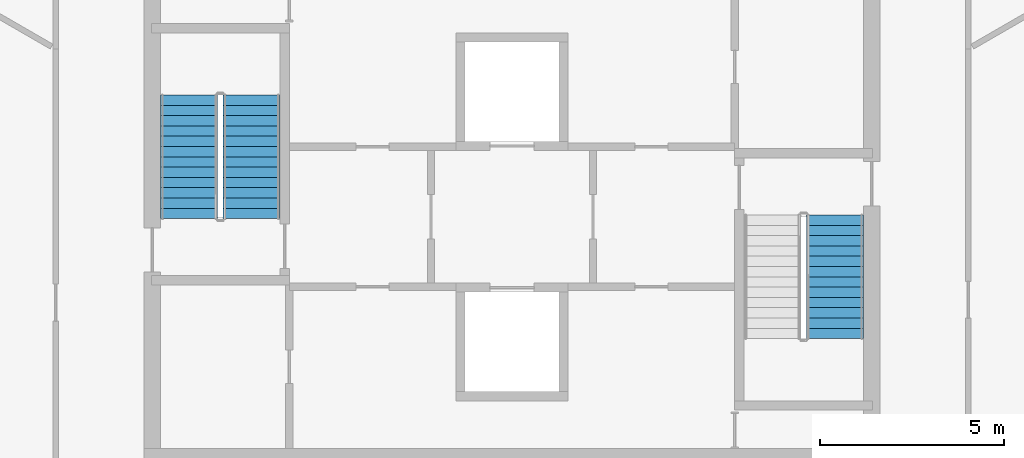
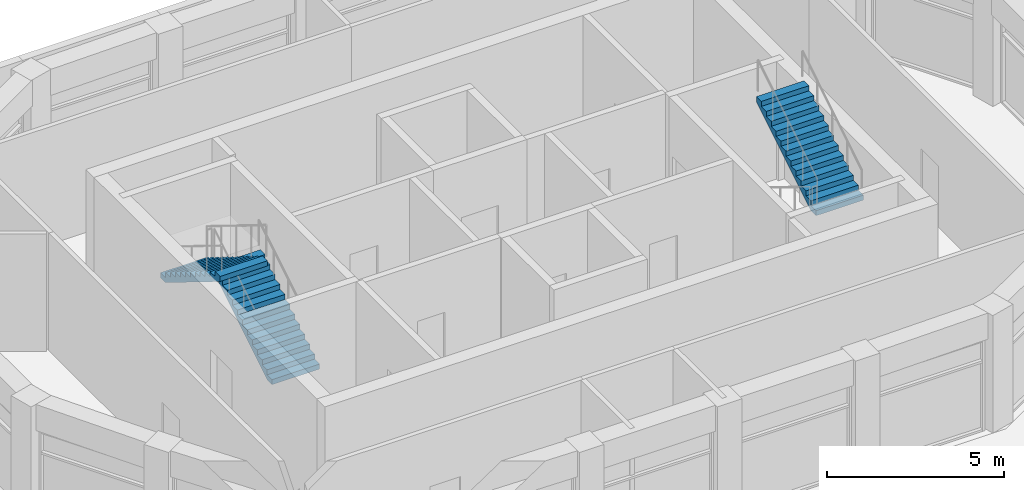
# One storey, part 7 of 8: 3 stair flights, 2 elements without a shape of their own.
"""IFC4 building model written with IfcOpenShell, lengths in metres."""

from ifc_helpers import new_model, si_unit, direction, frame, origin, place, context, subcontext, project, spatial, polyline, outline, extrude, material, type_object, element, aggregate, save


model = new_model("IFC4")

# Units and contexts
model_context = context("Model", 3, precision=1e-05, world=origin(), true_north=direction((0.0, 1.0)))
body_context = subcontext(model_context, "Body", "Model", "MODEL_VIEW")
ifc_project = project(units=[si_unit("LENGTHUNIT", "METRE"), si_unit("AREAUNIT", "SQUARE_METRE"), si_unit("VOLUMEUNIT", "CUBIC_METRE"), si_unit("PLANEANGLEUNIT", "RADIAN"), si_unit("MASSUNIT", "GRAM", prefix="KILO")], contexts=[model_context])

# Site, building, storey
site_placement = place(None, origin())
site = spatial("IfcSite", under=ifc_project, at=site_placement, CompositionType="ELEMENT")
building_placement = place(site_placement, origin())
building = spatial("IfcBuilding", under=site, at=building_placement, Name="Dhurran Vertical Campus", CompositionType="ELEMENT")
storey_placement = place(building_placement, frame((0.0, 0.0, 323.39990234375)))
storey = spatial("IfcBuildingStorey", under=building, at=storey_placement, Name="L79 Plant", CompositionType="ELEMENT", Elevation=323.39990234375)

# Stair, stair flights
ifc_material_1 = material(Name="Concrete C40/50", Category="concrete")
stair_type = type_object("IfcStairType", Name="co-ST-CORE", PredefinedType="HALF_TURN_STAIR", material=ifc_material_1)
stair_1_placement = place(storey_placement, origin())
stair_1 = element("IfcStair", 1, at=stair_1_placement, inside=storey, type_object=stair_type, Name="L79 Plant Protected exit stair ST5", PredefinedType="HALF_TURN_STAIR")
ifc_material_2 = material(Name="Concrete C40/50", Category="concrete")
stair_flight_type = type_object("IfcStairFlightType", Name="co-SFL-RC", PredefinedType="STRAIGHT", material=ifc_material_2)
stair_flight_1_placement = place(storey_placement, frame((-7.074951171875, -0.050048828125, 0.0), z_axis=(0.0, 0.0, 1.0), x_axis=(0.0, 1.0, 0.0)))
stair_flight_1 = element("IfcStairFlight", 2, at=stair_flight_1_placement, type_object=stair_flight_type, Name="ST5 flight 1", NumberOfRisers=13, NumberOfTreads=12, PredefinedType="STRAIGHT", RiserHeight=0.173076923, TreadLength=0.28, context=body_context, shape_type="SweptSolid", body=[
    extrude(outline(polyline([(0.0, 0.0), (0.0, 0.173095703125), (0.280029296875, 0.173095703125), (0.280029296875, 0.34619140625), (0.56005859375, 0.34619140625), (0.56005859375, 0.519287109375), (0.840087890625, 0.519287109375), (0.840087890625, 0.6923828125), (1.1201171875, 0.6923828125), (1.1201171875, 0.865478515625), (1.39990234375, 0.865478515625), (1.39990234375, 1.03857421875), (1.679931640625, 1.03857421875), (1.679931640625, 1.21142578125), (1.9599609375, 1.21142578125), (1.9599609375, 1.384521484375), (2.239990234375, 1.384521484375), (2.239990234375, 1.5576171875), (2.52001953125, 1.5576171875), (2.52001953125, 1.730712890625), (2.800048828125, 1.730712890625), (2.800048828125, 1.90380859375), (3.080078125, 1.90380859375), (3.080078125, 2.076904296875), (3.360107421875, 2.076904296875), (3.360107421875, 2.25), (3.360107421875, 1.900634765625), (0.28515625, 0.0), (0.0, 0.0)])), frame((0.0, 0.77490234375, 0.0), z_axis=(0.0, -1.0, 0.0), x_axis=(1.0, 0.0, 0.0)), (0.0, 0.0, 1.0), 1.550048828125),
])
stair_flight_2_placement = place(storey_placement, frame((-8.77490234375, 3.31005859375, 2.25), z_axis=(0.0, 0.0, 1.0), x_axis=(0.0, -1.0, 0.0)))
stair_flight_2 = element("IfcStairFlight", 3, at=stair_flight_2_placement, type_object=stair_flight_type, Name="ST5 flight 2", NumberOfRisers=13, NumberOfTreads=12, PredefinedType="STRAIGHT", RiserHeight=0.173076923, TreadLength=0.28, context=body_context, shape_type="SweptSolid", body=[
    extrude(outline(polyline([(0.0, 0.0), (0.0, 0.173095703125), (0.280029296875, 0.173095703125), (0.280029296875, 0.34619140625), (0.56005859375, 0.34619140625), (0.56005859375, 0.519287109375), (0.840087890625, 0.519287109375), (0.840087890625, 0.6923828125), (1.1201171875, 0.6923828125), (1.1201171875, 0.865478515625), (1.39990234375, 0.865478515625), (1.39990234375, 1.03857421875), (1.679931640625, 1.03857421875), (1.679931640625, 1.21142578125), (1.9599609375, 1.21142578125), (1.9599609375, 1.384521484375), (2.239990234375, 1.384521484375), (2.239990234375, 1.5576171875), (2.52001953125, 1.5576171875), (2.52001953125, 1.730712890625), (2.800048828125, 1.730712890625), (2.800048828125, 1.90380859375), (3.080078125, 1.90380859375), (3.080078125, 2.076904296875), (3.360107421875, 2.076904296875), (3.360107421875, 2.25), (3.360107421875, 1.900634765625), (0.28515625, 0.0), (0.0, 0.0)])), frame((0.0, 0.77490234375, 0.0), z_axis=(0.0, -1.0, 0.0), x_axis=(1.0, 0.0, 0.0)), (0.0, 0.0, 1.0), 1.550048828125),
])
aggregate(stair_1, [stair_flight_1, stair_flight_2])

# Stair, stair flight
stair_2_placement = place(storey_placement, origin())
stair_2 = element("IfcStair", 4, at=stair_2_placement, inside=storey, type_object=stair_type, Name="L79 Plant Protected exit stair ST6", PredefinedType="HALF_TURN_STAIR")
stair_flight_3_placement = place(storey_placement, frame((8.77490234375, -3.31005859375, 2.25), z_axis=(0.0, 0.0, 1.0), x_axis=(0.0, 1.0, 0.0)))
stair_flight_3 = element("IfcStairFlight", 5, at=stair_flight_3_placement, type_object=stair_flight_type, Name="ST6 flight 2", NumberOfRisers=13, NumberOfTreads=12, PredefinedType="STRAIGHT", RiserHeight=0.173076923, TreadLength=0.28, context=body_context, shape_type="SweptSolid", body=[
    extrude(outline(polyline([(0.0, 0.0), (0.0, 0.173095703125), (0.280029296875, 0.173095703125), (0.280029296875, 0.34619140625), (0.56005859375, 0.34619140625), (0.56005859375, 0.519287109375), (0.840087890625, 0.519287109375), (0.840087890625, 0.6923828125), (1.1201171875, 0.6923828125), (1.1201171875, 0.865478515625), (1.39990234375, 0.865478515625), (1.39990234375, 1.03857421875), (1.679931640625, 1.03857421875), (1.679931640625, 1.21142578125), (1.9599609375, 1.21142578125), (1.9599609375, 1.384521484375), (2.239990234375, 1.384521484375), (2.239990234375, 1.5576171875), (2.52001953125, 1.5576171875), (2.52001953125, 1.730712890625), (2.800048828125, 1.730712890625), (2.800048828125, 1.90380859375), (3.080078125, 1.90380859375), (3.080078125, 2.076904296875), (3.360107421875, 2.076904296875), (3.360107421875, 2.25), (3.360107421875, 1.900634765625), (0.28515625, 0.0), (0.0, 0.0)])), frame((0.0, 0.77490234375, 0.0), z_axis=(0.0, -1.0, 0.0), x_axis=(1.0, 0.0, 0.0)), (0.0, 0.0, 1.0), 1.550048828125),
])
aggregate(stair_2, [stair_flight_3])

save(model, "model.ifc")
